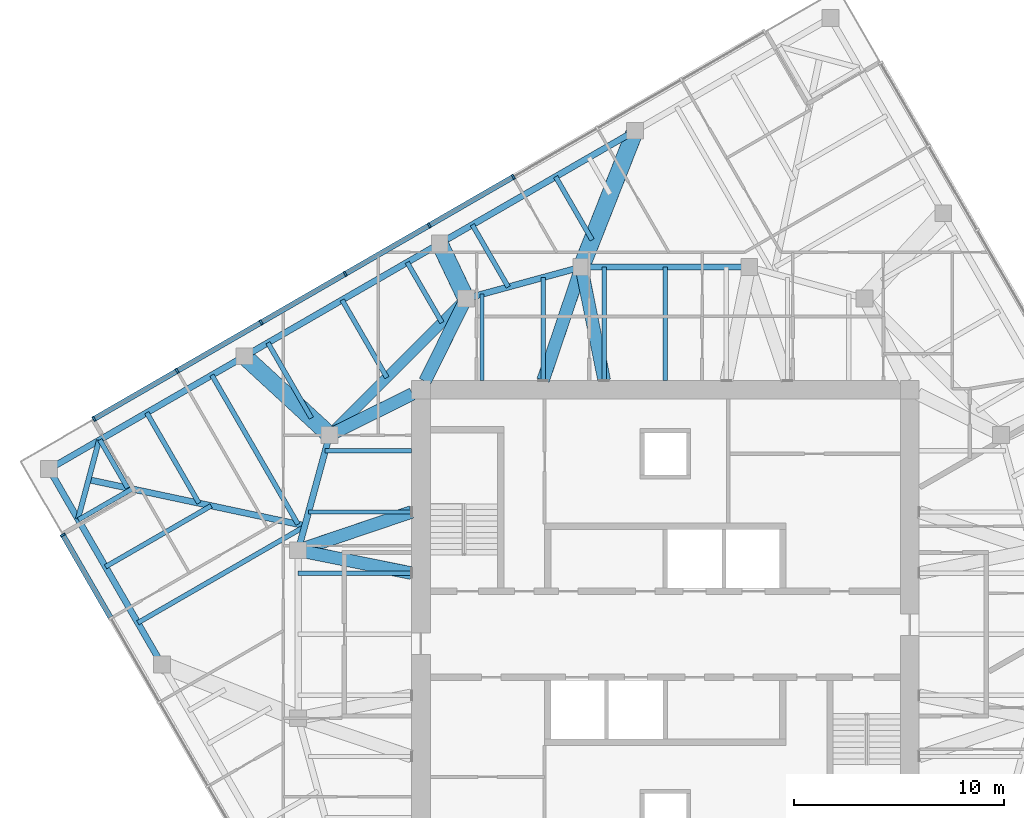
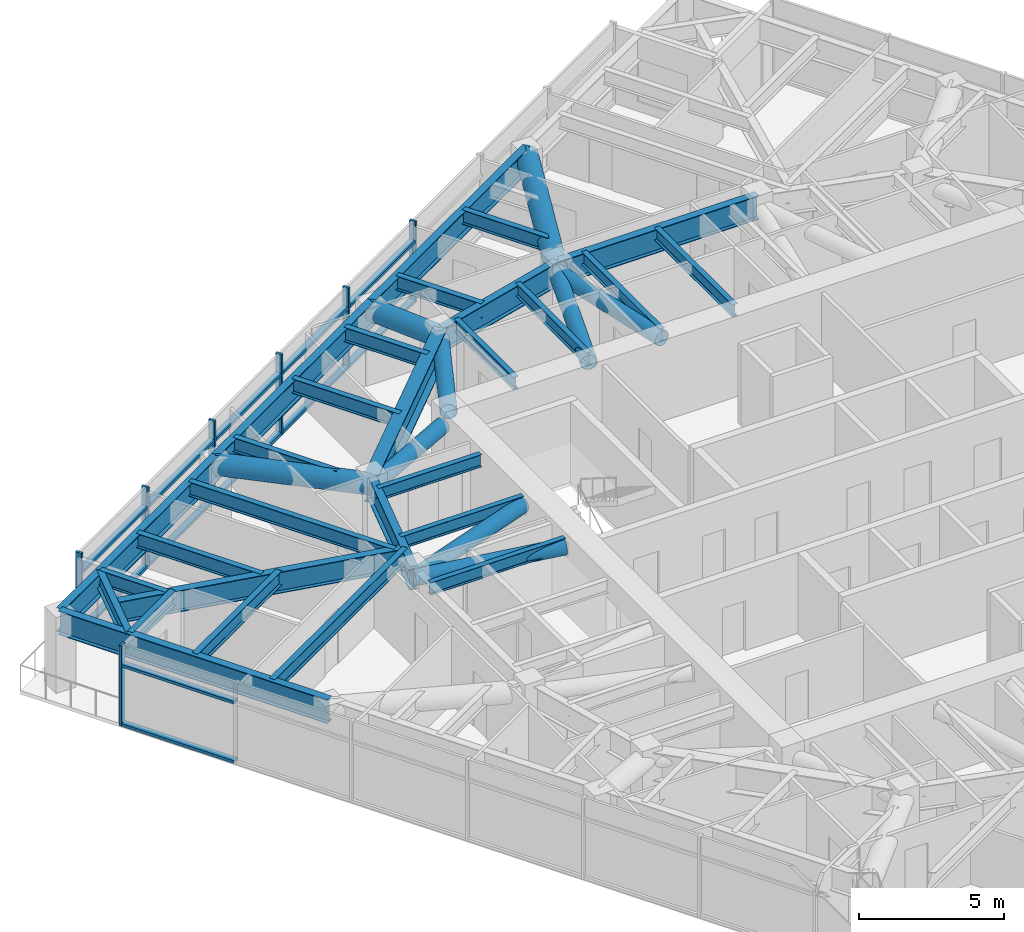
# One storey, part 5 of 16: 28 beams, 28 members, 2 elements without a shape of their own.
"""IFC4 building model written with IfcOpenShell, lengths in metres."""

from ifc_helpers import new_model, si_unit, direction, frame, origin, origin_2d, place, context, subcontext, project, spatial, rectangle, hollow_circle, i_section, extrude, material, material_profile, profile_set, type_object, element, aggregate, save


model = new_model("IFC4")

# Units and contexts
model_context = context("Model", 3, precision=1e-05, world=origin(), true_north=direction((0.0, 1.0)))
body_context = subcontext(model_context, "Body", "Model", "MODEL_VIEW")
ifc_project = project(units=[si_unit("LENGTHUNIT", "METRE"), si_unit("AREAUNIT", "SQUARE_METRE"), si_unit("VOLUMEUNIT", "CUBIC_METRE"), si_unit("PLANEANGLEUNIT", "RADIAN"), si_unit("MASSUNIT", "GRAM", prefix="KILO")], contexts=[model_context])

# Site, building, storey
site_placement = place(None, origin())
site = spatial("IfcSite", under=ifc_project, at=site_placement, CompositionType="ELEMENT")
building_placement = place(site_placement, origin())
building = spatial("IfcBuilding", under=site, at=building_placement, Name="Torsade Residences", CompositionType="ELEMENT")
storey_placement = place(building_placement, frame((0.0, 0.0, 232.0)))
storey = spatial("IfcBuildingStorey", under=building, at=storey_placement, Name="L64", CompositionType="ELEMENT", Elevation=232.0)

# Beams
ifc_material_1 = material(Name="Steel grade 300", Category="steel")
ifc_material_profile_1 = material_profile(ifc_material_1, i_section(OverallWidth=0.300048828125, OverallDepth=0.89990234375, WebThickness=0.011962890625, FlangeThickness=0.02490234375, at=origin_2d()), Name="900WB175")
ifc_profile_set_1 = profile_set([ifc_material_profile_1], Name="Steel grade 300")
beam_type_1 = type_object("IfcBeamType", Name="CORNER GIRDER 900WB175", PredefinedType="BEAM", material=ifc_profile_set_1)
beam_1_placement = place(storey_placement, frame((12.5087890625, 37.3662109375, 2.75), z_axis=(0.978115155685, -0.20806427425, 0.0), x_axis=(0.20806427425, 0.978115155685, 0.0)))
element("IfcBeam", 1, at=beam_1_placement, inside=storey, type_object=beam_type_1, Name="Corner girder 13 L65", PredefinedType="BEAM", context=body_context, shape_type="SweptSolid", body=[
    extrude(i_section(OverallWidth=0.300048828125, OverallDepth=0.89990234375, WebThickness=0.011962890625, FlangeThickness=0.02490234375, at=origin_2d()), origin(), (0.0, 0.0, 1.0), 10.541748046875),
])
ifc_material_2 = material(Name="Steel grade 300", Category="steel")
ifc_material_profile_2 = material_profile(ifc_material_2, i_section(OverallWidth=0.25, OverallDepth=0.699951171875, WebThickness=0.010009765625, FlangeThickness=0.02001953125, at=origin_2d()), Name="700WB130")
ifc_profile_set_2 = profile_set([ifc_material_profile_2], Name="Steel grade 300")
beam_type_2 = type_object("IfcBeamType", Name="CORNER TRIMMER 700WB130", PredefinedType="BEAM", material=ifc_profile_set_2)
beam_2_placement = place(storey_placement, frame((12.00537109375, 35.488037109375, 2.85009765625), z_axis=(0.258822897619, 0.965924794002, 0.0), x_axis=(-0.965924794002, 0.258822897619, 0.0)))
element("IfcBeam", 2, at=beam_2_placement, inside=storey, type_object=beam_type_2, Name="Corner trimmer 13 L65", PredefinedType="BEAM", context=body_context, shape_type="SweptSolid", body=[
    extrude(i_section(OverallWidth=0.25, OverallDepth=0.699951171875, WebThickness=0.010009765625, FlangeThickness=0.02001953125, at=origin_2d()), origin(), (0.0, 0.0, 1.0), 3.88916015625),
])

# Curtain wall, members
ifc_material_3 = material(Name="Aluminium and glass", Category="aluminium")
curtain_wall_type = type_object("IfcCurtainWallType", Name="FRITTED GLASS CURTAIN WALL HIGH ZONE", PredefinedType="NOTDEFINED", material=ifc_material_3)
curtain_wall_1_placement = place(storey_placement, origin())
curtain_wall_1 = element("IfcCurtainWall", 3, at=curtain_wall_1_placement, inside=storey, type_object=curtain_wall_type, Name="Curtain wall L64 face 7", PredefinedType="NOTDEFINED")
ifc_material_4 = material(Name="Aluminium mullion", Category="aluminium")
ifc_material_profile_3 = material_profile(ifc_material_4, rectangle(XDim=0.25, YDim=0.10009765625, at=origin_2d()), Name="HIGH ZONE CURTAIN WALL MULLION 250x100")
ifc_profile_set_3 = profile_set([ifc_material_profile_3], Name="Aluminium mullion")
member_type_1 = type_object("IfcMemberType", Name="HIGH ZONE CURTAIN WALL MULLION 250x100", PredefinedType="MULLION", material=ifc_profile_set_3)
member_1_placement = place(storey_placement, frame((32.75537109375, 51.798095703125, 0.0), z_axis=(0.0, 0.0, 1.0), x_axis=(0.499999999305, -0.866025404186, 0.0)))
member_1 = element("IfcMember", 4, at=member_1_placement, type_object=member_type_1, Name="Mullion 4", PredefinedType="MULLION", context=body_context, shape_type="SweptSolid", body=[
    extrude(rectangle(XDim=0.25, YDim=0.10009765625, at=origin_2d()), origin(), (0.0, 0.0, 1.0), 3.39990234375),
])
member_2_placement = place(storey_placement, frame((28.75, 49.485595703125, 0.0), z_axis=(0.0, 0.0, 1.0), x_axis=(0.499999999305, -0.866025404186, 0.0)))
member_2 = element("IfcMember", 5, at=member_2_placement, type_object=member_type_1, Name="Mullion 5", PredefinedType="MULLION", context=body_context, shape_type="SweptSolid", body=[
    extrude(rectangle(XDim=0.25, YDim=0.10009765625, at=origin_2d()), origin(), (0.0, 0.0, 1.0), 3.39990234375),
])
member_3_placement = place(storey_placement, frame((24.74462890625, 47.173095703125, 0.0), z_axis=(0.0, 0.0, 1.0), x_axis=(0.499999999305, -0.866025404186, 0.0)))
member_3 = element("IfcMember", 6, at=member_3_placement, type_object=member_type_1, Name="Mullion 6", PredefinedType="MULLION", context=body_context, shape_type="SweptSolid", body=[
    extrude(rectangle(XDim=0.25, YDim=0.10009765625, at=origin_2d()), origin(), (0.0, 0.0, 1.0), 3.39990234375),
])
member_4_placement = place(storey_placement, frame((20.7392578125, 44.860595703125, 0.0), z_axis=(0.0, 0.0, 1.0), x_axis=(0.499999999305, -0.866025404186, 0.0)))
member_4 = element("IfcMember", 7, at=member_4_placement, type_object=member_type_1, Name="Mullion 7", PredefinedType="MULLION", context=body_context, shape_type="SweptSolid", body=[
    extrude(rectangle(XDim=0.25, YDim=0.10009765625, at=origin_2d()), origin(), (0.0, 0.0, 1.0), 3.39990234375),
])
member_5_placement = place(storey_placement, frame((16.73388671875, 42.548095703125, 0.0), z_axis=(0.0, 0.0, 1.0), x_axis=(0.499999999305, -0.866025404186, 0.0)))
member_5 = element("IfcMember", 8, at=member_5_placement, type_object=member_type_1, Name="Mullion 8", PredefinedType="MULLION", context=body_context, shape_type="SweptSolid", body=[
    extrude(rectangle(XDim=0.25, YDim=0.10009765625, at=origin_2d()), origin(), (0.0, 0.0, 1.0), 3.39990234375),
])
member_6_placement = place(storey_placement, frame((12.771728515625, 40.260498046875, 0.0), z_axis=(0.0, 0.0, 1.0), x_axis=(0.499999999305, -0.866025404186, 0.0)))
member_6 = element("IfcMember", 9, at=member_6_placement, type_object=member_type_1, Name="Mullion 9", PredefinedType="MULLION", context=body_context, shape_type="SweptSolid", body=[
    extrude(rectangle(XDim=0.25, YDim=0.10009765625, at=origin_2d()), origin(), (0.0, 0.0, 1.0), 3.39990234375),
])

# Curtain wall, member
curtain_wall_2_placement = place(storey_placement, origin())
curtain_wall_2 = element("IfcCurtainWall", 10, at=curtain_wall_2_placement, inside=storey, type_object=curtain_wall_type, Name="Curtain wall L64 face 10", PredefinedType="NOTDEFINED")
member_7_placement = place(storey_placement, frame((11.289306640625, 34.728271484375, 0.0), z_axis=(0.0, 0.0, 1.0), x_axis=(0.866025404186, 0.499999999305, 0.0)))
member_7 = element("IfcMember", 11, at=member_7_placement, type_object=member_type_1, Name="Mullion 1", PredefinedType="MULLION", context=body_context, shape_type="SweptSolid", body=[
    extrude(rectangle(XDim=0.25, YDim=0.10009765625, at=origin_2d()), origin(), (0.0, 0.0, 1.0), 3.39990234375),
])

# Member
ifc_material_5 = material(Name="Aluminium transom", Category="aluminium")
ifc_material_profile_4 = material_profile(ifc_material_5, rectangle(XDim=0.25, YDim=0.1201171875, at=origin_2d()), Name="HIGH ZONE CURTAIN WALL TRANSOM 250x120")
ifc_profile_set_4 = profile_set([ifc_material_profile_4], Name="Aluminium transom")
member_type_2 = type_object("IfcMemberType", Name="HIGH ZONE CURTAIN WALL TRANSOM 250x120", PredefinedType="USERDEFINED", material=ifc_profile_set_4)
member_8_placement = place(storey_placement, frame((32.712158203125, 51.773193359375, 0.06005859375), z_axis=(-0.866016678684, -0.500015112013, 0.0), x_axis=(0.500015112013, -0.866016678684, 0.0)))
member_8 = element("IfcMember", 12, at=member_8_placement, type_object=member_type_2, Name="Transom 4.1", ObjectType="TRANSOM", PredefinedType="USERDEFINED", context=body_context, shape_type="SweptSolid", body=[
    extrude(rectangle(XDim=0.25, YDim=0.1201171875, at=origin_2d()), origin(), (0.0, 0.0, 1.0), 4.525146484375),
])

member_9_placement = place(storey_placement, frame((32.712158203125, 51.773193359375, 2.56005859375), z_axis=(-0.866016678684, -0.500015112013, 0.0), x_axis=(0.500015112013, -0.866016678684, 0.0)))
member_9 = element("IfcMember", 13, at=member_9_placement, type_object=member_type_2, Name="Transom 4.2", ObjectType="TRANSOM", PredefinedType="USERDEFINED", context=body_context, shape_type="SweptSolid", body=[
    extrude(rectangle(XDim=0.25, YDim=0.1201171875, at=origin_2d()), origin(), (0.0, 0.0, 1.0), 4.525146484375),
])

member_10_placement = place(storey_placement, frame((28.706787109375, 49.460693359375, 0.06005859375), z_axis=(-0.866016678684, -0.500015112013, 0.0), x_axis=(0.500015112013, -0.866016678684, 0.0)))
member_10 = element("IfcMember", 14, at=member_10_placement, type_object=member_type_2, Name="Transom 5.1", ObjectType="TRANSOM", PredefinedType="USERDEFINED", context=body_context, shape_type="SweptSolid", body=[
    extrude(rectangle(XDim=0.25, YDim=0.1201171875, at=origin_2d()), origin(), (0.0, 0.0, 1.0), 4.525146484375),
])

member_11_placement = place(storey_placement, frame((28.706787109375, 49.460693359375, 2.56005859375), z_axis=(-0.866016678684, -0.500015112013, 0.0), x_axis=(0.500015112013, -0.866016678684, 0.0)))
member_11 = element("IfcMember", 15, at=member_11_placement, type_object=member_type_2, Name="Transom 5.2", ObjectType="TRANSOM", PredefinedType="USERDEFINED", context=body_context, shape_type="SweptSolid", body=[
    extrude(rectangle(XDim=0.25, YDim=0.1201171875, at=origin_2d()), origin(), (0.0, 0.0, 1.0), 4.525146484375),
])

member_12_placement = place(storey_placement, frame((24.701416015625, 47.148193359375, 0.06005859375), z_axis=(-0.866016678684, -0.500015112013, 0.0), x_axis=(0.500015112013, -0.866016678684, 0.0)))
member_12 = element("IfcMember", 16, at=member_12_placement, type_object=member_type_2, Name="Transom 6.1", ObjectType="TRANSOM", PredefinedType="USERDEFINED", context=body_context, shape_type="SweptSolid", body=[
    extrude(rectangle(XDim=0.25, YDim=0.1201171875, at=origin_2d()), origin(), (0.0, 0.0, 1.0), 4.525146484375),
])

member_13_placement = place(storey_placement, frame((24.701416015625, 47.148193359375, 2.56005859375), z_axis=(-0.866016678684, -0.500015112013, 0.0), x_axis=(0.500015112013, -0.866016678684, 0.0)))
member_13 = element("IfcMember", 17, at=member_13_placement, type_object=member_type_2, Name="Transom 6.2", ObjectType="TRANSOM", PredefinedType="USERDEFINED", context=body_context, shape_type="SweptSolid", body=[
    extrude(rectangle(XDim=0.25, YDim=0.1201171875, at=origin_2d()), origin(), (0.0, 0.0, 1.0), 4.525146484375),
])

member_14_placement = place(storey_placement, frame((20.696044921875, 44.835693359375, 0.06005859375), z_axis=(-0.866016678684, -0.500015112013, 0.0), x_axis=(0.500015112013, -0.866016678684, 0.0)))
member_14 = element("IfcMember", 18, at=member_14_placement, type_object=member_type_2, Name="Transom 7.1", ObjectType="TRANSOM", PredefinedType="USERDEFINED", context=body_context, shape_type="SweptSolid", body=[
    extrude(rectangle(XDim=0.25, YDim=0.1201171875, at=origin_2d()), origin(), (0.0, 0.0, 1.0), 4.525146484375),
])

member_15_placement = place(storey_placement, frame((20.696044921875, 44.835693359375, 2.56005859375), z_axis=(-0.866016678684, -0.500015112013, 0.0), x_axis=(0.500015112013, -0.866016678684, 0.0)))
member_15 = element("IfcMember", 19, at=member_15_placement, type_object=member_type_2, Name="Transom 7.2", ObjectType="TRANSOM", PredefinedType="USERDEFINED", context=body_context, shape_type="SweptSolid", body=[
    extrude(rectangle(XDim=0.25, YDim=0.1201171875, at=origin_2d()), origin(), (0.0, 0.0, 1.0), 4.525146484375),
])

member_16_placement = place(storey_placement, frame((16.690673828125, 42.523193359375, 0.06005859375), z_axis=(-0.866022053326, -0.50000580312, 0.0), x_axis=(0.50000580312, -0.866022053326, 0.0)))
member_16 = element("IfcMember", 20, at=member_16_placement, type_object=member_type_2, Name="Transom 8.1", ObjectType="TRANSOM", PredefinedType="USERDEFINED", context=body_context, shape_type="SweptSolid", body=[
    extrude(rectangle(XDim=0.25, YDim=0.1201171875, at=origin_2d()), origin(), (0.0, 0.0, 1.0), 4.47509765625),
])

member_17_placement = place(storey_placement, frame((16.690673828125, 42.523193359375, 2.56005859375), z_axis=(-0.866022053326, -0.50000580312, 0.0), x_axis=(0.50000580312, -0.866022053326, 0.0)))
member_17 = element("IfcMember", 21, at=member_17_placement, type_object=member_type_2, Name="Transom 8.2", ObjectType="TRANSOM", PredefinedType="USERDEFINED", context=body_context, shape_type="SweptSolid", body=[
    extrude(rectangle(XDim=0.25, YDim=0.1201171875, at=origin_2d()), origin(), (0.0, 0.0, 1.0), 4.47509765625),
])

aggregate(curtain_wall_1, [member_1, member_2, member_3, member_4, member_5, member_6, member_8, member_9, member_10, member_11, member_12, member_13, member_14, member_15, member_16, member_17])

member_18_placement = place(storey_placement, frame((11.314453125, 34.684814453125, 0.06005859375), z_axis=(0.50000580312, -0.866022053326, 0.0), x_axis=(0.866022053326, 0.50000580312, 0.0)))
member_18 = element("IfcMember", 22, at=member_18_placement, type_object=member_type_2, Name="Transom 1.1", ObjectType="TRANSOM", PredefinedType="USERDEFINED", context=body_context, shape_type="SweptSolid", body=[
    extrude(rectangle(XDim=0.25, YDim=0.1201171875, at=origin_2d()), origin(), (0.0, 0.0, 1.0), 4.47509765625),
])

member_19_placement = place(storey_placement, frame((11.314453125, 34.684814453125, 2.56005859375), z_axis=(0.50000580312, -0.866022053326, 0.0), x_axis=(0.866022053326, 0.50000580312, 0.0)))
member_19 = element("IfcMember", 23, at=member_19_placement, type_object=member_type_2, Name="Transom 1.2", ObjectType="TRANSOM", PredefinedType="USERDEFINED", context=body_context, shape_type="SweptSolid", body=[
    extrude(rectangle(XDim=0.25, YDim=0.1201171875, at=origin_2d()), origin(), (0.0, 0.0, 1.0), 4.47509765625),
])

aggregate(curtain_wall_2, [member_7, member_18, member_19])

# Beams
ifc_material_6 = material(Name="Steel grade 300", Category="steel")
ifc_material_profile_5 = material_profile(ifc_material_6, i_section(OverallWidth=0.208984375, OverallDepth=0.528076171875, WebThickness=0.009521484375, FlangeThickness=0.01318359375, FilletRadius=0.013916015625, at=origin_2d()), Name="530UB82.0")
ifc_profile_set_5 = profile_set([ifc_material_profile_5], Name="Steel grade 300")
beam_type_3 = type_object("IfcBeamType", Name="INNER FLOOR BEAM 530UB82.0", PredefinedType="JOIST", material=ifc_profile_set_5)
beam_3_placement = place(storey_placement, frame((31.262451171875, 42.10009765625, 2.93603515625), z_axis=(0.0, 1.0, 0.0), x_axis=(-1.0, 0.0, 0.0)))
element("IfcBeam", 24, at=beam_3_placement, inside=storey, type_object=beam_type_3, Name="Inner floor beam IN01 L65", PredefinedType="JOIST", context=body_context, shape_type="SweptSolid", body=[
    extrude(i_section(OverallWidth=0.208984375, OverallDepth=0.528076171875, WebThickness=0.009521484375, FlangeThickness=0.01318359375, FilletRadius=0.013916015625, at=origin_2d()), origin(), (0.0, 0.0, 1.0), 4.10791015625),
])
beam_4_placement = place(storey_placement, frame((34.175048828125, 42.10009765625, 2.93603515625), z_axis=(0.0, 1.0, 0.0), x_axis=(-1.0, 0.0, 0.0)))
element("IfcBeam", 25, at=beam_4_placement, inside=storey, type_object=beam_type_3, Name="Inner floor beam IN02 L65", PredefinedType="JOIST", context=body_context, shape_type="SweptSolid", body=[
    extrude(i_section(OverallWidth=0.208984375, OverallDepth=0.528076171875, WebThickness=0.009521484375, FlangeThickness=0.01318359375, FilletRadius=0.013916015625, at=origin_2d()), origin(), (0.0, 0.0, 1.0), 4.902099609375),
])
for number, where, z_axis, x_axis, name in (
    (26, (37.08740234375, 42.10009765625, 2.93603515625), (0.0, 1.0, 0.0), (-1.0, 0.0, 0.0), "Inner floor beam IN03 L65"),
    (27, (40.0, 42.10009765625, 2.93603515625), (0.0, 1.0, 0.0), (-1.0, 0.0, 0.0), "Inner floor beam IN04 L65"),
):
    element("IfcBeam", number, at=place(storey_placement, frame(where, z_axis=z_axis, x_axis=x_axis)), inside=storey, type_object=beam_type_3, Name=name, PredefinedType="JOIST", context=body_context, shape_type="SweptSolid", body=[
        extrude(i_section(OverallWidth=0.208984375, OverallDepth=0.528076171875, WebThickness=0.009521484375, FlangeThickness=0.01318359375, FilletRadius=0.013916015625, at=origin_2d()), origin(), (0.0, 0.0, 1.0), 5.39990234375),
    ])
beam_5_placement = place(storey_placement, frame((27.89990234375, 38.737548828125, 2.93603515625), z_axis=(-1.0, 0.0, 0.0), x_axis=(0.0, -1.0, 0.0)))
element("IfcBeam", 28, at=beam_5_placement, inside=storey, type_object=beam_type_3, Name="Inner floor beam IW01 L65", PredefinedType="JOIST", context=body_context, shape_type="SweptSolid", body=[
    extrude(i_section(OverallWidth=0.208984375, OverallDepth=0.528076171875, WebThickness=0.009521484375, FlangeThickness=0.01318359375, FilletRadius=0.013916015625, at=origin_2d()), origin(), (0.0, 0.0, 1.0), 4.10791015625),
])
beam_6_placement = place(storey_placement, frame((27.89990234375, 35.824951171875, 2.93603515625), z_axis=(-1.0, 0.0, 0.0), x_axis=(0.0, -1.0, 0.0)))
element("IfcBeam", 29, at=beam_6_placement, inside=storey, type_object=beam_type_3, Name="Inner floor beam IW02 L65", PredefinedType="JOIST", context=body_context, shape_type="SweptSolid", body=[
    extrude(i_section(OverallWidth=0.208984375, OverallDepth=0.528076171875, WebThickness=0.009521484375, FlangeThickness=0.01318359375, FilletRadius=0.013916015625, at=origin_2d()), origin(), (0.0, 0.0, 1.0), 4.902099609375),
])
beam_7_placement = place(storey_placement, frame((27.89990234375, 32.91259765625, 2.93603515625), z_axis=(-1.0, 0.0, 0.0), x_axis=(0.0, -1.0, 0.0)))
element("IfcBeam", 30, at=beam_7_placement, inside=storey, type_object=beam_type_3, Name="Inner floor beam IW03 L65", PredefinedType="JOIST", context=body_context, shape_type="SweptSolid", body=[
    extrude(i_section(OverallWidth=0.208984375, OverallDepth=0.528076171875, WebThickness=0.009521484375, FlangeThickness=0.01318359375, FilletRadius=0.013916015625, at=origin_2d()), origin(), (0.0, 0.0, 1.0), 5.39990234375),
])
ifc_material_7 = material(Name="Steel grade 300", Category="steel")
ifc_material_profile_6 = material_profile(ifc_material_7, i_section(OverallWidth=0.5, OverallDepth=1.199951171875, WebThickness=0.01611328125, FlangeThickness=0.0400390625, at=origin_2d()), Name="1200WB455")
ifc_profile_set_6 = profile_set([ifc_material_profile_6], Name="Steel grade 300")
beam_type_4 = type_object("IfcBeamType", Name="RING CORNER GIRDER 1200WB455", PredefinedType="BEAM", material=ifc_profile_set_6)
beam_8_placement = place(storey_placement, frame((30.5, 46.0, 2.60009765625), z_axis=(-0.707106781187, -0.707106781187, 0.0), x_axis=(0.707106781187, -0.707106781187, 0.0)))
element("IfcBeam", 31, at=beam_8_placement, inside=storey, type_object=beam_type_4, Name="Ring girder IR07 L65", PredefinedType="BEAM", context=body_context, shape_type="SweptSolid", body=[
    extrude(i_section(OverallWidth=0.5, OverallDepth=1.199951171875, WebThickness=0.01611328125, FlangeThickness=0.0400390625, at=origin_2d()), origin(), (0.0, 0.0, 1.0), 9.1923828125),
])
ifc_material_8 = material(Name="Steel grade 300", Category="steel")
ifc_material_profile_7 = material_profile(ifc_material_8, i_section(OverallWidth=0.300048828125, OverallDepth=1.0, WebThickness=0.01611328125, FlangeThickness=0.028076171875, at=origin_2d()), Name="1000WB215")
ifc_profile_set_7 = profile_set([ifc_material_profile_7], Name="Steel grade 300")
beam_type_5 = type_object("IfcBeamType", Name="RING GIRDER 1000WB215", PredefinedType="BEAM", material=ifc_profile_set_7)
beam_9_placement = place(storey_placement, frame((44.0, 47.5, 2.699951171875), z_axis=(-1.0, 0.0, 0.0), x_axis=(0.0, -1.0, 0.0)))
element("IfcBeam", 32, at=beam_9_placement, inside=storey, type_object=beam_type_5, Name="Ring girder IR05 L65", PredefinedType="BEAM", context=body_context, shape_type="SweptSolid", body=[
    extrude(i_section(OverallWidth=0.300048828125, OverallDepth=1.0, WebThickness=0.01611328125, FlangeThickness=0.028076171875, at=origin_2d()), origin(), (0.0, 0.0, 1.0), 8.0),
])
for number, where, z_axis, x_axis, name in (
    (33, (36.0, 47.5, 2.699951171875), (-0.964763821238, -0.263117405792, 0.0), (0.263117405792, -0.964763821238, 0.0), "Ring girder IR06 L65"),
    (34, (24.0, 39.5, 2.699951171875), (-0.263117405792, -0.964763821238, 0.0), (0.964763821238, -0.263117405792, 0.0), "Ring girder IR08 L65"),
):
    element("IfcBeam", number, at=place(storey_placement, frame(where, z_axis=z_axis, x_axis=x_axis)), inside=storey, type_object=beam_type_5, Name=name, PredefinedType="BEAM", context=body_context, shape_type="SweptSolid", body=[
        extrude(i_section(OverallWidth=0.300048828125, OverallDepth=1.0, WebThickness=0.01611328125, FlangeThickness=0.028076171875, at=origin_2d()), origin(), (0.0, 0.0, 1.0), 5.700927734375),
    ])
ifc_material_9 = material(Name="Steel grade 300", Category="steel")
ifc_material_profile_8 = material_profile(ifc_material_9, i_section(OverallWidth=0.22900390625, OverallDepth=0.612060546875, WebThickness=0.011962890625, FlangeThickness=0.01953125, FilletRadius=0.013916015625, at=origin_2d()), Name="610UB125")
ifc_profile_set_8 = profile_set([ifc_material_profile_8], Name="Steel grade 300")
beam_type_6 = type_object("IfcBeamType", Name="SECONDARY BEAM 610UB125", PredefinedType="JOIST", material=ifc_profile_set_8)
beam_10_placement = place(storey_placement, frame((34.77099609375, 51.80712890625, 2.89404296875), z_axis=(0.499973559465, -0.866040668696, 0.0), x_axis=(0.866040668696, 0.499973559465, 0.0)))
element("IfcBeam", 35, at=beam_10_placement, inside=storey, type_object=beam_type_6, Name="Floor beam FN05 L65", PredefinedType="JOIST", context=body_context, shape_type="SweptSolid", body=[
    extrude(i_section(OverallWidth=0.22900390625, OverallDepth=0.612060546875, WebThickness=0.011962890625, FlangeThickness=0.01953125, FilletRadius=0.013916015625, at=origin_2d()), origin(), (0.0, 0.0, 1.0), 3.478759765625),
])
beam_11_placement = place(storey_placement, frame((30.801513671875, 49.515380859375, 2.89404296875), z_axis=(0.500041249073, -0.866001587311, 0.0), x_axis=(0.866001587311, 0.500041249073, 0.0)))
element("IfcBeam", 36, at=beam_11_placement, inside=storey, type_object=beam_type_6, Name="Floor beam FN06 L65", PredefinedType="JOIST", context=body_context, shape_type="SweptSolid", body=[
    extrude(i_section(OverallWidth=0.22900390625, OverallDepth=0.612060546875, WebThickness=0.011962890625, FlangeThickness=0.01953125, FilletRadius=0.013916015625, at=origin_2d()), origin(), (0.0, 0.0, 1.0), 3.425048828125),
])
beam_12_placement = place(storey_placement, frame((27.698486328125, 47.7236328125, 2.89404296875), z_axis=(0.499975512502, -0.866039541186, 0.0), x_axis=(0.866039541186, 0.499975512502, 0.0)))
element("IfcBeam", 37, at=beam_12_placement, inside=storey, type_object=beam_type_6, Name="Floor beam FN07 L65", PredefinedType="JOIST", context=body_context, shape_type="SweptSolid", body=[
    extrude(i_section(OverallWidth=0.22900390625, OverallDepth=0.612060546875, WebThickness=0.011962890625, FlangeThickness=0.01953125, FilletRadius=0.013916015625, at=origin_2d()), origin(), (0.0, 0.0, 1.0), 3.312744140625),
])
beam_13_placement = place(storey_placement, frame((24.59521484375, 45.93212890625, 2.89404296875), z_axis=(0.500004369671, -0.866022880939, 0.0), x_axis=(0.866022880939, 0.500004369671, 0.0)))
element("IfcBeam", 38, at=beam_13_placement, inside=storey, type_object=beam_type_6, Name="Floor beam FN08 L65", PredefinedType="JOIST", context=body_context, shape_type="SweptSolid", body=[
    extrude(i_section(OverallWidth=0.22900390625, OverallDepth=0.612060546875, WebThickness=0.011962890625, FlangeThickness=0.01953125, FilletRadius=0.013916015625, at=origin_2d()), origin(), (0.0, 0.0, 1.0), 4.27294921875),
])
beam_14_placement = place(storey_placement, frame((21.058837890625, 43.890380859375, 2.89404296875), z_axis=(0.499979160215, -0.866037435306, 0.0), x_axis=(0.866037435306, 0.499979160215, 0.0)))
element("IfcBeam", 39, at=beam_14_placement, inside=storey, type_object=beam_type_6, Name="Floor beam FN09 L65", PredefinedType="JOIST", context=body_context, shape_type="SweptSolid", body=[
    extrude(i_section(OverallWidth=0.22900390625, OverallDepth=0.612060546875, WebThickness=0.011962890625, FlangeThickness=0.01953125, FilletRadius=0.013916015625, at=origin_2d()), origin(), (0.0, 0.0, 1.0), 4.143798828125),
])
beam_15_placement = place(storey_placement, frame((18.388671875, 42.3486328125, 2.89404296875), z_axis=(0.499992034702, -0.866030002502, 0.0), x_axis=(0.866030002502, 0.499992034702, 0.0)))
element("IfcBeam", 40, at=beam_15_placement, inside=storey, type_object=beam_type_6, Name="Floor beam FN10 L65", PredefinedType="JOIST", context=body_context, shape_type="SweptSolid", body=[
    extrude(i_section(OverallWidth=0.22900390625, OverallDepth=0.612060546875, WebThickness=0.011962890625, FlangeThickness=0.01953125, FilletRadius=0.013916015625, at=origin_2d()), origin(), (0.0, 0.0, 1.0), 8.205322265625),
])
beam_16_placement = place(storey_placement, frame((15.285400390625, 40.55712890625, 2.89404296875), z_axis=(0.499968694491, -0.866043477274, 0.0), x_axis=(0.866043477274, 0.499968694491, 0.0)))
element("IfcBeam", 41, at=beam_16_placement, inside=storey, type_object=beam_type_6, Name="Floor beam FN11 L65", PredefinedType="JOIST", context=body_context, shape_type="SweptSolid", body=[
    extrude(i_section(OverallWidth=0.22900390625, OverallDepth=0.612060546875, WebThickness=0.011962890625, FlangeThickness=0.01953125, FilletRadius=0.013916015625, at=origin_2d()), origin(), (0.0, 0.0, 1.0), 4.977783203125),
])
beam_17_placement = place(storey_placement, frame((13.048095703125, 39.265380859375, 2.89404296875), z_axis=(0.499972238474, -0.866041431316, 0.0), x_axis=(0.866041431316, 0.499972238474, 0.0)))
element("IfcBeam", 42, at=beam_17_placement, inside=storey, type_object=beam_type_6, Name="Floor beam FN12 L65", PredefinedType="JOIST", context=body_context, shape_type="SweptSolid", body=[
    extrude(i_section(OverallWidth=0.22900390625, OverallDepth=0.612060546875, WebThickness=0.011962890625, FlangeThickness=0.01953125, FilletRadius=0.013916015625, at=origin_2d()), origin(), (0.0, 0.0, 1.0), 2.651123046875),
])
beam_18_placement = place(storey_placement, frame((12.0263671875, 35.451904296875, 2.89404296875), z_axis=(0.866017313224, 0.500014013, 0.0), x_axis=(-0.500014013, 0.866017313224, 0.0)))
element("IfcBeam", 43, at=beam_18_placement, inside=storey, type_object=beam_type_6, Name="Floor beam FW01 L65", PredefinedType="JOIST", context=body_context, shape_type="SweptSolid", body=[
    extrude(i_section(OverallWidth=0.22900390625, OverallDepth=0.612060546875, WebThickness=0.011962890625, FlangeThickness=0.01953125, FilletRadius=0.013916015625, at=origin_2d()), origin(), (0.0, 0.0, 1.0), 2.94775390625),
])
beam_19_placement = place(storey_placement, frame((13.31787109375, 33.214599609375, 2.89404296875), z_axis=(0.866031100357, 0.499990133118, 0.0), x_axis=(-0.499990133118, 0.866031100357, 0.0)))
element("IfcBeam", 44, at=beam_19_placement, inside=storey, type_object=beam_type_6, Name="Floor beam FW02 L65", PredefinedType="JOIST", context=body_context, shape_type="SweptSolid", body=[
    extrude(i_section(OverallWidth=0.22900390625, OverallDepth=0.612060546875, WebThickness=0.011962890625, FlangeThickness=0.01953125, FilletRadius=0.013916015625, at=origin_2d()), origin(), (0.0, 0.0, 1.0), 5.81591796875),
])
beam_20_placement = place(storey_placement, frame((14.859619140625, 30.54443359375, 2.89404296875), z_axis=(0.866021712342, 0.500006393711, 0.0), x_axis=(-0.500006393711, 0.866021712342, 0.0)))
element("IfcBeam", 45, at=beam_20_placement, inside=storey, type_object=beam_type_6, Name="Floor beam FW03 L65", PredefinedType="JOIST", context=body_context, shape_type="SweptSolid", body=[
    extrude(i_section(OverallWidth=0.22900390625, OverallDepth=0.612060546875, WebThickness=0.011962890625, FlangeThickness=0.01953125, FilletRadius=0.013916015625, at=origin_2d()), origin(), (0.0, 0.0, 1.0), 9.1796875),
])

# Members
ifc_material_10 = material(Name="Steel grade 450", Category="steel")
ifc_material_profile_9 = material_profile(ifc_material_10, hollow_circle(Radius=0.304931640625, WallThickness=0.01611328125, at=origin_2d()), Name="610.0x16.0CHS")
ifc_profile_set_9 = profile_set([ifc_material_profile_9], Name="Steel grade 450")
member_type_3 = type_object("IfcMemberType", Name="TRANSFER FLOOR BRACE 610.0x16.0CHS", PredefinedType="BRACE", material=ifc_profile_set_9)
member_20_placement = place(storey_placement, frame((36.0, 47.5, 2.699951171875), z_axis=(0.197387517864, -0.980201418973, 0.015599552377), x_axis=(0.980320704809, 0.197411538983, 0.0)))
element("IfcMember", 46, at=member_20_placement, inside=storey, type_object=member_type_3, Name="Transfer floor brace TT7 bottom IR06IN03", PredefinedType="BRACE", context=body_context, shape_type="SweptSolid", body=[
    extrude(hollow_circle(Radius=0.304931640625, WallThickness=0.01611328125, at=origin_2d()), origin(), (0.0, 0.0, 1.0), 5.509033203125),
])
member_21_placement = place(storey_placement, frame((36.0, 47.5, 2.699951171875), z_axis=(-0.320133484365, -0.947252495944, 0.01507518214), x_axis=(0.947360151124, -0.320169867513, 0.0)))
element("IfcMember", 47, at=member_21_placement, inside=storey, type_object=member_type_3, Name="Transfer floor brace TT7 bottom IR06IN02", PredefinedType="BRACE", context=body_context, shape_type="SweptSolid", body=[
    extrude(hollow_circle(Radius=0.304931640625, WallThickness=0.01611328125, at=origin_2d()), origin(), (0.0, 0.0, 1.0), 5.70068359375),
])
for number, where, z_axis, x_axis, name in (
    (48, (30.5, 46.0, 2.699951171875), (-0.443105036702, -0.896469701914, 0.0), (0.896469701914, -0.443105036702, 0.0), "Transfer floor brace TT7 bottom IR07C"),
    (49, (24.0, 39.5, 2.699951171875), (0.896469701914, 0.443105036702, 0.0), (-0.443105036702, 0.896469701914, 0.0), "Transfer floor brace TT7 bottom IR08C"),
):
    element("IfcMember", number, at=place(storey_placement, frame(where, z_axis=z_axis, x_axis=x_axis)), inside=storey, type_object=member_type_3, Name=name, PredefinedType="BRACE", context=body_context, shape_type="SweptSolid", body=[
        extrude(hollow_circle(Radius=0.304931640625, WallThickness=0.01611328125, at=origin_2d()), origin(), (0.0, 0.0, 1.0), 4.40234375),
    ])
member_22_placement = place(storey_placement, frame((22.5, 34.0, 2.699951171875), z_axis=(0.980201418973, -0.197387517864, 0.015599552377), x_axis=(0.197411538983, 0.980320704809, 0.0)))
element("IfcMember", 50, at=member_22_placement, inside=storey, type_object=member_type_3, Name="Transfer floor brace TT7 bottom IR09IW03", PredefinedType="BRACE", context=body_context, shape_type="SweptSolid", body=[
    extrude(hollow_circle(Radius=0.304931640625, WallThickness=0.01611328125, at=origin_2d()), origin(), (0.0, 0.0, 1.0), 5.509033203125),
])
member_23_placement = place(storey_placement, frame((22.5, 34.0, 2.699951171875), z_axis=(0.947252495944, 0.320133484365, 0.01507518214), x_axis=(-0.320169867513, 0.947360151124, 0.0)))
element("IfcMember", 51, at=member_23_placement, inside=storey, type_object=member_type_3, Name="Transfer floor brace TT7 bottom IR09IW02", PredefinedType="BRACE", context=body_context, shape_type="SweptSolid", body=[
    extrude(hollow_circle(Radius=0.304931640625, WallThickness=0.01611328125, at=origin_2d()), origin(), (0.0, 0.0, 1.0), 5.70068359375),
])
ifc_material_11 = material(Name="Steel grade 450", Category="steel")
ifc_material_profile_10 = material_profile(ifc_material_11, hollow_circle(Radius=0.406494140625, WallThickness=0.02490234375, at=origin_2d()), Name="813.0x25.0CHS")
ifc_profile_set_10 = profile_set([ifc_material_profile_10], Name="Steel grade 450")
member_type_4 = type_object("IfcMemberType", Name="TRANSFER FLOOR STRUT 813.0x25.0CHS", PredefinedType="STRUT", material=ifc_profile_set_10)
member_24_placement = place(storey_placement, frame((38.559814453125, 53.99462890625, 2.798583984375), z_axis=(-0.366688728668, -0.930343687176, 0.0), x_axis=(0.930343687176, -0.366688728668, 0.0)))
element("IfcMember", 52, at=member_24_placement, inside=storey, type_object=member_type_4, Name="Transfer floor strut TT7 bottom 10IR06", PredefinedType="STRUT", context=body_context, shape_type="SweptSolid", body=[
    extrude(hollow_circle(Radius=0.406494140625, WallThickness=0.02490234375, at=origin_2d()), origin(), (0.0, 0.0, 1.0), 6.98095703125),
])
member_25_placement = place(storey_placement, frame((29.25, 48.61962890625, 2.798583984375), z_axis=(0.430651736204, -0.902518189348, 0.0), x_axis=(0.902518189348, 0.430651736204, 0.0)))
element("IfcMember", 53, at=member_25_placement, inside=storey, type_object=member_type_4, Name="Transfer floor strut TT7 bottom 11IR07", PredefinedType="STRUT", context=body_context, shape_type="SweptSolid", body=[
    extrude(hollow_circle(Radius=0.406494140625, WallThickness=0.02490234375, at=origin_2d()), origin(), (0.0, 0.0, 1.0), 2.902587890625),
])
member_26_placement = place(storey_placement, frame((19.940185546875, 43.24462890625, 2.798583984375), z_axis=(0.735064376029, -0.67799731791, 0.0), x_axis=(0.67799731791, 0.735064376029, 0.0)))
element("IfcMember", 54, at=member_26_placement, inside=storey, type_object=member_type_4, Name="Transfer floor strut TT7 bottom 12IR08", PredefinedType="STRUT", context=body_context, shape_type="SweptSolid", body=[
    extrude(hollow_circle(Radius=0.406494140625, WallThickness=0.02490234375, at=origin_2d()), origin(), (0.0, 0.0, 1.0), 5.523193359375),
])

# Beams
ifc_material_12 = material(Name="Steel grade 300", Category="steel")
ifc_material_profile_11 = material_profile(ifc_material_12, i_section(OverallWidth=0.300048828125, OverallDepth=1.0, WebThickness=0.01611328125, FlangeThickness=0.028076171875, at=origin_2d()), Name="1000WB215")
ifc_profile_set_11 = profile_set([ifc_material_profile_11], Name="Steel grade 300")
beam_type_7 = type_object("IfcBeamType", Name="TRANSFER TRUSS CHORD 1000WB215", PredefinedType="USERDEFINED", material=ifc_profile_set_11)
for number, where, z_axis, x_axis, name in (
    (55, (38.559814453125, 53.99462890625, 2.699951171875), (-0.866026365697, -0.499998333915, 0.0), (0.499998333915, -0.866026365697, 0.0), "Transfer truss TT7 bottom chord 10"),
    (56, (29.25, 48.61962890625, 2.699951171875), (-0.866026365697, -0.499998333915, 0.0), (0.499998333915, -0.866026365697, 0.0), "Transfer truss TT7 bottom chord 11"),
    (57, (19.940185546875, 43.24462890625, 2.699951171875), (-0.866026365697, -0.499998333915, 0.0), (0.499998333915, -0.866026365697, 0.0), "Transfer truss TT7 bottom chord 12"),
    (58, (10.63037109375, 37.86962890625, 2.699951171875), (0.499998333915, -0.866026365697, 0.0), (0.866026365697, 0.499998333915, 0.0), "Transfer truss TT7 bottom chord 13"),
):
    element("IfcBeam", number, at=place(storey_placement, frame(where, z_axis=z_axis, x_axis=x_axis)), inside=storey, type_object=beam_type_7, Name=name, ObjectType="TRANSFER TRUSS CHORD", PredefinedType="USERDEFINED", context=body_context, shape_type="SweptSolid", body=[
        extrude(i_section(OverallWidth=0.300048828125, OverallDepth=1.0, WebThickness=0.01611328125, FlangeThickness=0.028076171875, at=origin_2d()), origin(), (0.0, 0.0, 1.0), 10.75),
    ])

save(model, "model.ifc")
